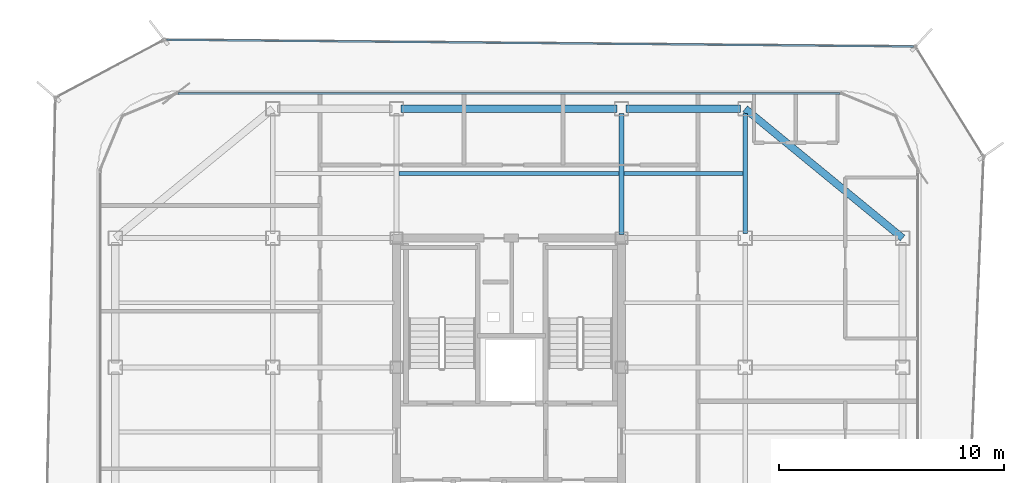
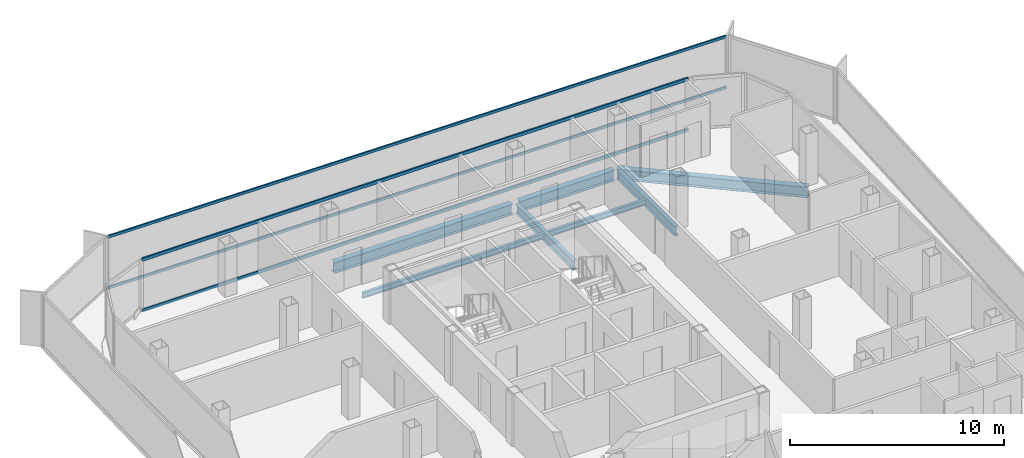
# One storey, part 7 of 15: 7 beams, 4 members, 2 elements without a shape of their own.
"""IFC4 building model written with IfcOpenShell, lengths in metres."""

from ifc_helpers import new_model, si_unit, direction, frame, origin, origin_2d, place, context, subcontext, project, spatial, hollow_rectangle, i_section, extrude, source, transform, mapped, material, layer, layer_set, material_profile, profile_set, type_object, element, aggregate, save


model = new_model("IFC4")

# Units and contexts
model_context = context("Model", 3, precision=1e-05, world=origin(), true_north=direction((0.0, 1.0)))
body_context = subcontext(model_context, "Body", "Model", "MODEL_VIEW")
ifc_project = project(units=[si_unit("LENGTHUNIT", "METRE"), si_unit("AREAUNIT", "SQUARE_METRE"), si_unit("VOLUMEUNIT", "CUBIC_METRE"), si_unit("PLANEANGLEUNIT", "RADIAN"), si_unit("MASSUNIT", "GRAM", prefix="KILO")], contexts=[model_context])

# Site, building, storey
site_placement = place(None, origin())
site = spatial("IfcSite", under=ifc_project, at=site_placement, CompositionType="ELEMENT")
building_placement = place(site_placement, origin())
building = spatial("IfcBuilding", under=site, at=building_placement, Name="Kolveth Station Tower", CompositionType="ELEMENT")
storey_placement = place(building_placement, frame((0.0, 0.0, 255.300048828125)))
storey = spatial("IfcBuildingStorey", under=building, at=storey_placement, Name="L73", CompositionType="ELEMENT", Elevation=255.300048828125)

# Beams
ifc_material_1 = material(Name="Steel S355", Category="steel")
ifc_material_profile_1 = material_profile(ifc_material_1, i_section(OverallWidth=0.323974609375, OverallDepth=0.611083984375, WebThickness=0.0126953125, FlangeThickness=0.01904296875, at=origin_2d()), Name="W610x155")
ifc_profile_set_1 = profile_set([ifc_material_profile_1], Name="Steel S355")
beam_type_1 = type_object("IfcBeamType", Name="Beam_SP2", PredefinedType="SPANDREL", material=ifc_profile_set_1)
shared_shape_1 = source(origin(), body_context, "Body", "SweptSolid", [
    extrude(i_section(OverallWidth=0.323974609375, OverallDepth=0.611083984375, WebThickness=0.0126953125, FlangeThickness=0.01904296875, at=origin_2d()), origin(), (0.0, 0.0, 1.0), 9.058837890625),
])
beam_1_placement = place(storey_placement, frame((41.0, 28.75, -0.525634765625), z_axis=(-0.772726254525, 0.63473942336, 0.0), x_axis=(-0.63473942336, -0.772726254525, 0.0)))
element("IfcBeam", 1, at=beam_1_placement, inside=storey, type_object=beam_type_1, Name="L73 Corner Edge Girder BM-L73-CNR-NE", PredefinedType="SPANDREL", context=body_context, shape_type="MappedRepresentation", body=[
    mapped(shared_shape_1, transform((0.0, 0.0, 0.0), x_axis=(1.0, 0.0, 0.0), y_axis=(0.0, 1.0, 0.0), z_axis=(0.0, 0.0, 1.0), scale=1.0)),
])
shared_shape_2 = source(origin(), body_context, "Body", "SweptSolid", [
    extrude(i_section(OverallWidth=0.323974609375, OverallDepth=0.611083984375, WebThickness=0.0126953125, FlangeThickness=0.01904296875, at=origin_2d()), origin(), (0.0, 0.0, 1.0), 5.10009765625),
])
beam_2_placement = place(storey_placement, frame((28.699951171875, 34.5, -0.525634765625), z_axis=(1.0, 0.0, 0.0), x_axis=(0.0, 1.0, 0.0)))
element("IfcBeam", 2, at=beam_2_placement, inside=storey, type_object=beam_type_1, Name="L73 Perimeter Spandrel BM-L73-PN-3", PredefinedType="SPANDREL", context=body_context, shape_type="MappedRepresentation", body=[
    mapped(shared_shape_2, transform((0.0, 0.0, 0.0), x_axis=(1.0, 0.0, 0.0), y_axis=(0.0, 1.0, 0.0), z_axis=(0.0, 0.0, 1.0), scale=1.0)),
])
shared_shape_3 = source(origin(), body_context, "Body", "SweptSolid", [
    extrude(i_section(OverallWidth=0.323974609375, OverallDepth=0.611083984375, WebThickness=0.0126953125, FlangeThickness=0.01904296875, at=origin_2d()), origin(), (0.0, 0.0, 1.0), 9.60009765625),
])
beam_3_placement = place(storey_placement, frame((18.699951171875, 34.5, -0.525634765625), z_axis=(1.0, 0.0, 0.0), x_axis=(0.0, 1.0, 0.0)))
element("IfcBeam", 3, at=beam_3_placement, inside=storey, type_object=beam_type_1, Name="L73 Perimeter Spandrel BM-L73-PN-2", PredefinedType="SPANDREL", context=body_context, shape_type="MappedRepresentation", body=[
    mapped(shared_shape_3, transform((0.0, 0.0, 0.0), x_axis=(1.0, 0.0, 0.0), y_axis=(0.0, 1.0, 0.0), z_axis=(0.0, 0.0, 1.0), scale=1.0)),
])
ifc_material_profile_2 = material_profile(ifc_material_1, i_section(OverallWidth=0.2099609375, OverallDepth=0.537109375, WebThickness=0.010986328125, FlangeThickness=0.017333984375, at=origin_2d()), Name="W530x101")
ifc_profile_set_2 = profile_set([ifc_material_profile_2], Name="Steel S355")
beam_type_2 = type_object("IfcBeamType", Name="Beam_B6", PredefinedType="BEAM", material=ifc_profile_set_2)
shared_shape_4 = source(origin(), body_context, "Body", "SweptSolid", [
    extrude(i_section(OverallWidth=0.2099609375, OverallDepth=0.537109375, WebThickness=0.010986328125, FlangeThickness=0.017333984375, at=origin_2d()), origin(), (0.0, 0.0, 1.0), 5.35009765625),
])
beam_4_placement = place(storey_placement, frame((34.0, 28.949951171875, -0.488525390625), z_axis=(0.0, 1.0, 0.0), x_axis=(-1.0, 0.0, 0.0)))
element("IfcBeam", 4, at=beam_4_placement, inside=storey, type_object=beam_type_2, Name="L73 Primary Girder BM-L73-GX340-6", PredefinedType="BEAM", context=body_context, shape_type="MappedRepresentation", body=[
    mapped(shared_shape_4, transform((0.0, 0.0, 0.0), x_axis=(1.0, 0.0, 0.0), y_axis=(0.0, 1.0, 0.0), z_axis=(0.0, 0.0, 1.0), scale=1.0)),
])
shared_shape_5 = source(origin(), body_context, "Body", "SweptSolid", [
    extrude(i_section(OverallWidth=0.2099609375, OverallDepth=0.537109375, WebThickness=0.010986328125, FlangeThickness=0.017333984375, at=origin_2d()), origin(), (0.0, 0.0, 1.0), 5.39013671875),
])
beam_5_placement = place(storey_placement, frame((28.5, 28.909912109375, -0.488525390625), z_axis=(0.0, 1.0, 0.0), x_axis=(-1.0, 0.0, 0.0)))
element("IfcBeam", 5, at=beam_5_placement, inside=storey, type_object=beam_type_2, Name="L73 Primary Girder BM-L73-GX285-6", PredefinedType="BEAM", context=body_context, shape_type="MappedRepresentation", body=[
    mapped(shared_shape_5, transform((0.0, 0.0, 0.0), x_axis=(1.0, 0.0, 0.0), y_axis=(0.0, 1.0, 0.0), z_axis=(0.0, 0.0, 1.0), scale=1.0)),
])
ifc_material_profile_3 = material_profile(ifc_material_1, i_section(OverallWidth=0.1650390625, OverallDepth=0.31005859375, WebThickness=0.005859375, FlangeThickness=0.009765625, at=origin_2d()), Name="W310x39")
ifc_profile_set_3 = profile_set([ifc_material_profile_3], Name="Steel S355")
beam_type_3 = type_object("IfcBeamType", Name="Beam_J3", PredefinedType="JOIST", material=ifc_profile_set_3)
shared_shape_6 = source(origin(), body_context, "Body", "SweptSolid", [
    extrude(i_section(OverallWidth=0.1650390625, OverallDepth=0.31005859375, WebThickness=0.005859375, FlangeThickness=0.009765625, at=origin_2d()), origin(), (0.0, 0.0, 1.0), 5.2939453125),
])
beam_6_placement = place(storey_placement, frame((28.60302734375, 31.625, -0.375), z_axis=(1.0, 0.0, 0.0), x_axis=(0.0, 1.0, 0.0)))
element("IfcBeam", 6, at=beam_6_placement, inside=storey, type_object=beam_type_3, Name="L73 Secondary Joist JST-L73-4-6", PredefinedType="JOIST", context=body_context, shape_type="MappedRepresentation", body=[
    mapped(shared_shape_6, transform((0.0, 0.0, 0.0), x_axis=(1.0, 0.0, 0.0), y_axis=(0.0, 1.0, 0.0), z_axis=(0.0, 0.0, 1.0), scale=1.0)),
])
shared_shape_7 = source(origin(), body_context, "Body", "SweptSolid", [
    extrude(i_section(OverallWidth=0.1650390625, OverallDepth=0.31005859375, WebThickness=0.005859375, FlangeThickness=0.009765625, at=origin_2d()), origin(), (0.0, 0.0, 1.0), 9.7939453125),
])
beam_7_placement = place(storey_placement, frame((18.60302734375, 31.625, -0.375), z_axis=(1.0, 0.0, 0.0), x_axis=(0.0, 1.0, 0.0)))
element("IfcBeam", 7, at=beam_7_placement, inside=storey, type_object=beam_type_3, Name="L73 Secondary Joist JST-L73-3-6", PredefinedType="JOIST", context=body_context, shape_type="MappedRepresentation", body=[
    mapped(shared_shape_7, transform((0.0, 0.0, 0.0), x_axis=(1.0, 0.0, 0.0), y_axis=(0.0, 1.0, 0.0), z_axis=(0.0, 0.0, 1.0), scale=1.0)),
])

# Curtain wall, members
ifc_material_2 = material(Name="Aluminium 6063-T6 and triple low-E dark glass", Category="aluminium")
ifc_layer_1 = layer(ifc_material_2, 0.199951171875)
ifc_layer_set_1 = layer_set([ifc_layer_1], Name="Aluminium 6063-T6 and triple low-E dark glass")
curtain_wall_type_1 = type_object("IfcCurtainWallType", Name="CurtainWall_CW-Z3", PredefinedType="NOTDEFINED", material=ifc_layer_set_1)
curtain_wall_1_placement = place(storey_placement, origin())
curtain_wall_1 = element("IfcCurtainWall", 8, at=curtain_wall_1_placement, inside=storey, type_object=curtain_wall_type_1, Name="L73 Inner Thermal Curtain Wall 6", PredefinedType="NOTDEFINED")
ifc_material_3 = material(Name="Black anodized aluminium 6063-T6", Category="aluminium")
ifc_material_profile_4 = material_profile(ifc_material_3, hollow_rectangle(XDim=0.0849609375, YDim=0.179931640625, WallThickness=0.0048828125, at=origin_2d()), Name="ALU-85x180x5")
ifc_profile_set_4 = profile_set([ifc_material_profile_4], Name="Black anodized aluminium 6063-T6")
member_type_1 = type_object("IfcMemberType", Name="Transom_TR3", PredefinedType="USERDEFINED", material=ifc_profile_set_4)
shared_shape_8 = source(origin(), body_context, "Body", "SweptSolid", [
    extrude(hollow_rectangle(XDim=0.0849609375, YDim=0.179931640625, WallThickness=0.0048828125, at=origin_2d()), origin(), (0.0, 0.0, 1.0), 29.43017578125),
])
member_1_placement = place(storey_placement, frame((38.215087890625, 35.179931640625, 0.04248046875), z_axis=(-1.0, 0.0, 0.0), x_axis=(0.0, -1.0, 0.0)))
member_1 = element("IfcMember", 9, at=member_1_placement, type_object=member_type_1, Name="CW-Z3 transom 1.1", ObjectType="TRANSOM", PredefinedType="USERDEFINED", context=body_context, shape_type="MappedRepresentation", body=[
    mapped(shared_shape_8, transform((0.0, 0.0, 0.0), x_axis=(1.0, 0.0, 0.0), y_axis=(0.0, 1.0, 0.0), z_axis=(0.0, 0.0, 1.0), scale=1.0)),
])
member_2_placement = place(storey_placement, frame((38.215087890625, 35.179931640625, 2.9375), z_axis=(-1.0, 0.0, 0.0), x_axis=(0.0, -1.0, 0.0)))
member_2 = element("IfcMember", 10, at=member_2_placement, type_object=member_type_1, Name="CW-Z3 transom 1.2", ObjectType="TRANSOM", PredefinedType="USERDEFINED", context=body_context, shape_type="MappedRepresentation", body=[
    mapped(shared_shape_8, transform((0.0, 0.0, 0.0), x_axis=(1.0, 0.0, 0.0), y_axis=(0.0, 1.0, 0.0), z_axis=(0.0, 0.0, 1.0), scale=1.0)),
])
aggregate(curtain_wall_1, [member_1, member_2])

ifc_material_4 = material(Name="Black anodized aluminium 6063-T6 and dark solar glass", Category="aluminium")
ifc_layer_2 = layer(ifc_material_4, 0.159912109375)
ifc_layer_set_2 = layer_set([ifc_layer_2], Name="Black anodized aluminium 6063-T6 and dark solar glass")
curtain_wall_type_2 = type_object("IfcCurtainWallType", Name="OUTER SKIN CW-OS", PredefinedType="NOTDEFINED", material=ifc_layer_set_2)
curtain_wall_2_placement = place(storey_placement, origin())
curtain_wall_2 = element("IfcCurtainWall", 11, at=curtain_wall_2_placement, inside=storey, type_object=curtain_wall_type_2, Name="L73 Outer Ventilated Skin Curtain Wall 4", PredefinedType="NOTDEFINED")
ifc_material_profile_5 = material_profile(ifc_material_3, hollow_rectangle(XDim=0.080078125, YDim=0.14990234375, WallThickness=0.0048828125, at=origin_2d()), Name="ALU-80x150x5")
ifc_profile_set_5 = profile_set([ifc_material_profile_5], Name="Black anodized aluminium 6063-T6")
member_type_2 = type_object("IfcMemberType", Name="Transom_TR-OS", PredefinedType="USERDEFINED", material=ifc_profile_set_5)
shared_shape_9 = source(origin(), body_context, "Body", "SweptSolid", [
    extrude(hollow_rectangle(XDim=0.080078125, YDim=0.14990234375, WallThickness=0.0048828125, at=origin_2d()), origin(), (0.0, 0.0, 1.0), 33.217041015625),
])
member_3_placement = place(storey_placement, frame((41.4794921875, 37.266845703125, 0.0400390625), z_axis=(-0.999959267907, 0.009025659356, 0.0), x_axis=(-0.009025659356, -0.999959267907, 0.0)))
member_3 = element("IfcMember", 12, at=member_3_placement, type_object=member_type_2, Name="CW-OS transom 1.1", ObjectType="TRANSOM", PredefinedType="USERDEFINED", context=body_context, shape_type="MappedRepresentation", body=[
    mapped(shared_shape_9, transform((0.0, 0.0, 0.0), x_axis=(1.0, 0.0, 0.0), y_axis=(0.0, 1.0, 0.0), z_axis=(0.0, 0.0, 1.0), scale=1.0)),
])
member_4_placement = place(storey_placement, frame((41.4794921875, 37.266845703125, 2.949951171875), z_axis=(-0.999959267907, 0.009025659356, 0.0), x_axis=(-0.009025659356, -0.999959267907, 0.0)))
member_4 = element("IfcMember", 13, at=member_4_placement, type_object=member_type_2, Name="CW-OS transom 1.2", ObjectType="TRANSOM", PredefinedType="USERDEFINED", context=body_context, shape_type="MappedRepresentation", body=[
    mapped(shared_shape_9, transform((0.0, 0.0, 0.0), x_axis=(1.0, 0.0, 0.0), y_axis=(0.0, 1.0, 0.0), z_axis=(0.0, 0.0, 1.0), scale=1.0)),
])
aggregate(curtain_wall_2, [member_3, member_4])

save(model, "model.ifc")
